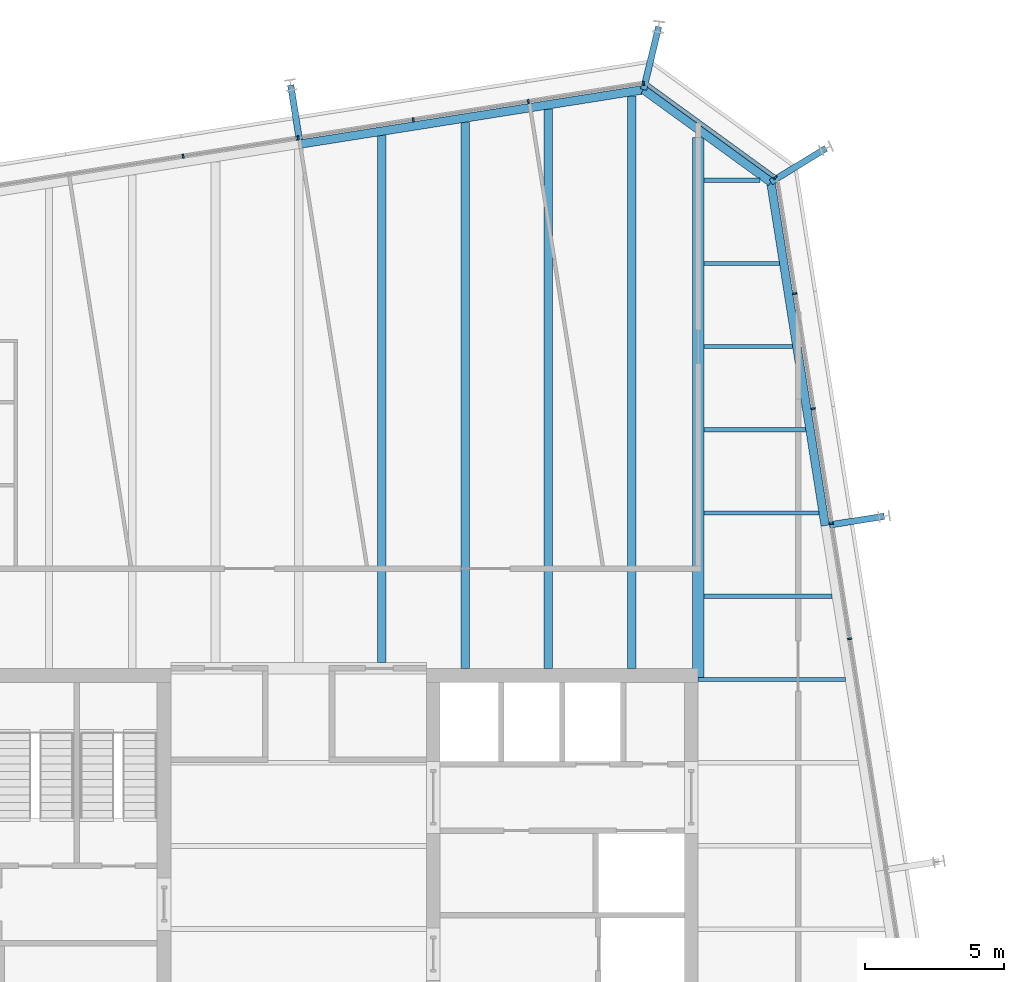
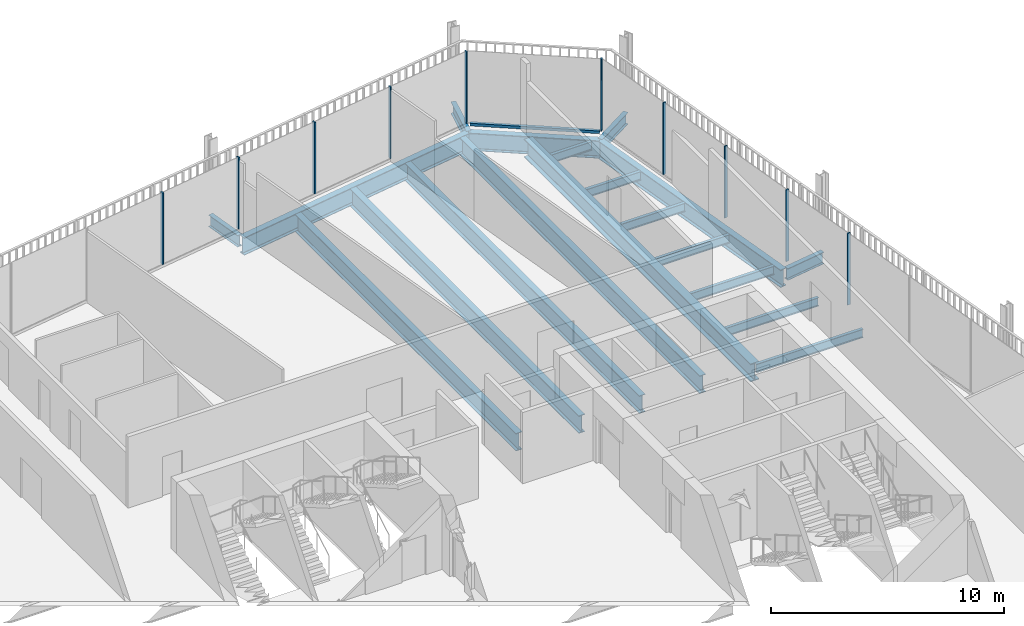
# One storey, part 14 of 20: 19 beams, 11 members, 3 elements without a shape of their own.
"""IFC4 building model written with IfcOpenShell, lengths in metres."""

from ifc_helpers import new_model, si_unit, direction, frame, origin, origin_2d, place, context, subcontext, project, spatial, rectangle, i_section, extrude, material, layer, layer_set, material_profile, profile_set, type_object, element, aggregate, save


model = new_model("IFC4")

# Units and contexts
model_context = context("Model", 3, precision=1e-05, world=origin(), true_north=direction((0.0, 1.0)))
body_context = subcontext(model_context, "Body", "Model", "MODEL_VIEW")
ifc_project = project(units=[si_unit("LENGTHUNIT", "METRE"), si_unit("AREAUNIT", "SQUARE_METRE"), si_unit("VOLUMEUNIT", "CUBIC_METRE"), si_unit("PLANEANGLEUNIT", "RADIAN"), si_unit("MASSUNIT", "GRAM", prefix="KILO")], contexts=[model_context])

# Site, building, storey
site_placement = place(None, origin())
site = spatial("IfcSite", under=ifc_project, at=site_placement, CompositionType="ELEMENT")
building_placement = place(site_placement, origin())
building = spatial("IfcBuilding", under=site, at=building_placement, Name="Millrace Tower", CompositionType="ELEMENT")
storey_placement = place(building_placement, frame((0.0, 0.0, 224.199951171875)))
storey = spatial("IfcBuildingStorey", under=building, at=storey_placement, Name="L51", CompositionType="ELEMENT", Elevation=224.199951171875)

# Curtain wall, members
ifc_material_1 = material(Name="Aluminium and glass", Category="aluminium")
ifc_layer = layer(ifc_material_1, 0.14990234375)
ifc_layer_set = layer_set([ifc_layer], Name="Aluminium and glass")
curtain_wall_type = type_object("IfcCurtainWallType", Name="CW-1 office vision curtain wall", PredefinedType="NOTDEFINED", material=ifc_layer_set)
placement = place(storey_placement, origin())
curtain_wall_1 = element("IfcCurtainWall", 1, at=placement, inside=storey, type_object=curtain_wall_type, Name="Curtain wall D-F04 L51", PredefinedType="NOTDEFINED")
ifc_material_2 = material(Name="Aluminium", Category="aluminium")
ifc_material_profile_1 = material_profile(ifc_material_2, rectangle(XDim=0.06494140625, YDim=0.14990234375, at=origin_2d()))
ifc_profile_set_1 = profile_set([ifc_material_profile_1], Name="Aluminium")
member_type_1 = type_object("IfcMemberType", Name="CW-1 office vision curtain wall mullion", PredefinedType="MULLION", material=ifc_profile_set_1)
member_1_placement = place(storey_placement, frame((19.857421875, 10.466064453125, 0.14013671875), z_axis=(0.0, 0.0, 1.0), x_axis=(-0.156434471884, 0.987688339511, 0.0)))
member_1 = element("IfcMember", 2, at=member_1_placement, type_object=member_type_1, Name="CW1 mullion D-F04.6", PredefinedType="MULLION", context=body_context, shape_type="SweptSolid", body=[
    extrude(rectangle(XDim=0.06494140625, YDim=0.14990234375, at=origin_2d()), origin(), (0.0, 0.0, 1.0), 3.760009765625),
])
member_2_placement = place(storey_placement, frame((19.2001953125, 14.6142578125, 0.14013671875), z_axis=(0.0, 0.0, 1.0), x_axis=(-0.156434471884, 0.987688339511, 0.0)))
member_2 = element("IfcMember", 3, at=member_2_placement, type_object=member_type_1, Name="CW1 mullion D-F04.7", PredefinedType="MULLION", context=body_context, shape_type="SweptSolid", body=[
    extrude(rectangle(XDim=0.06494140625, YDim=0.14990234375, at=origin_2d()), origin(), (0.0, 0.0, 1.0), 3.760009765625),
])
member_3_placement = place(storey_placement, frame((18.543212890625, 18.762451171875, 0.14013671875), z_axis=(0.0, 0.0, 1.0), x_axis=(-0.156434471884, 0.987688339511, 0.0)))
member_3 = element("IfcMember", 4, at=member_3_placement, type_object=member_type_1, Name="CW1 mullion D-F04.8", PredefinedType="MULLION", context=body_context, shape_type="SweptSolid", body=[
    extrude(rectangle(XDim=0.06494140625, YDim=0.14990234375, at=origin_2d()), origin(), (0.0, 0.0, 1.0), 3.760009765625),
])
member_4_placement = place(storey_placement, frame((17.88623046875, 22.910888671875, 0.14013671875), z_axis=(0.0, 0.0, 1.0), x_axis=(-0.156434471884, 0.987688339511, 0.0)))
member_4 = element("IfcMember", 5, at=member_4_placement, type_object=member_type_1, Name="CW1 mullion D-F04.9", PredefinedType="MULLION", context=body_context, shape_type="SweptSolid", body=[
    extrude(rectangle(XDim=0.06494140625, YDim=0.14990234375, at=origin_2d()), origin(), (0.0, 0.0, 1.0), 3.760009765625),
])
aggregate(curtain_wall_1, [member_1, member_2, member_3, member_4])

# Curtain wall, member
curtain_wall_2 = element("IfcCurtainWall", 6, at=placement, inside=storey, type_object=curtain_wall_type, Name="Curtain wall D-F05 L51", PredefinedType="NOTDEFINED")
member_5_placement = place(storey_placement, frame((17.177978515625, 27.094970703125, 0.14013671875), z_axis=(0.0, 0.0, 1.0), x_axis=(-0.809016955361, 0.587785305991, 0.0)))
member_5 = element("IfcMember", 7, at=member_5_placement, type_object=member_type_1, Name="CW1 mullion D-F05.1", PredefinedType="MULLION", context=body_context, shape_type="SweptSolid", body=[
    extrude(rectangle(XDim=0.06494140625, YDim=0.14990234375, at=origin_2d()), origin(), (0.0, 0.0, 1.0), 3.760009765625),
])

# Curtain wall, members
curtain_wall_3 = element("IfcCurtainWall", 8, at=placement, inside=storey, type_object=curtain_wall_type, Name="Curtain wall D-F06 L51", PredefinedType="NOTDEFINED")
member_6_placement = place(storey_placement, frame((12.425537109375, 30.492431640625, 0.14013671875), z_axis=(0.0, 0.0, 1.0), x_axis=(-0.987688339511, -0.156434471884, 0.0)))
member_6 = element("IfcMember", 9, at=member_6_placement, type_object=member_type_1, Name="CW1 mullion D-F06.1", PredefinedType="MULLION", context=body_context, shape_type="SweptSolid", body=[
    extrude(rectangle(XDim=0.06494140625, YDim=0.14990234375, at=origin_2d()), origin(), (0.0, 0.0, 1.0), 3.760009765625),
])
member_7_placement = place(storey_placement, frame((8.277099609375, 29.83544921875, 0.14013671875), z_axis=(0.0, 0.0, 1.0), x_axis=(-0.987688339511, -0.156434471884, 0.0)))
member_7 = element("IfcMember", 10, at=member_7_placement, type_object=member_type_1, Name="CW1 mullion D-F06.2", PredefinedType="MULLION", context=body_context, shape_type="SweptSolid", body=[
    extrude(rectangle(XDim=0.06494140625, YDim=0.14990234375, at=origin_2d()), origin(), (0.0, 0.0, 1.0), 3.760009765625),
])
member_8_placement = place(storey_placement, frame((4.12890625, 29.178466796875, 0.14013671875), z_axis=(0.0, 0.0, 1.0), x_axis=(-0.987688339511, -0.156434471884, 0.0)))
member_8 = element("IfcMember", 11, at=member_8_placement, type_object=member_type_1, Name="CW1 mullion D-F06.3", PredefinedType="MULLION", context=body_context, shape_type="SweptSolid", body=[
    extrude(rectangle(XDim=0.06494140625, YDim=0.14990234375, at=origin_2d()), origin(), (0.0, 0.0, 1.0), 3.760009765625),
])
member_9_placement = place(storey_placement, frame((-0.019287109375, 28.521240234375, 0.14013671875), z_axis=(0.0, 0.0, 1.0), x_axis=(-0.987688339511, -0.156434471884, 0.0)))
member_9 = element("IfcMember", 12, at=member_9_placement, type_object=member_type_1, Name="CW1 mullion D-F06.4", PredefinedType="MULLION", context=body_context, shape_type="SweptSolid", body=[
    extrude(rectangle(XDim=0.06494140625, YDim=0.14990234375, at=origin_2d()), origin(), (0.0, 0.0, 1.0), 3.760009765625),
])
member_10_placement = place(storey_placement, frame((-4.167724609375, 27.8642578125, 0.14013671875), z_axis=(0.0, 0.0, 1.0), x_axis=(-0.987688339511, -0.156434471884, 0.0)))
member_10 = element("IfcMember", 13, at=member_10_placement, type_object=member_type_1, Name="CW1 mullion D-F06.5", PredefinedType="MULLION", context=body_context, shape_type="SweptSolid", body=[
    extrude(rectangle(XDim=0.06494140625, YDim=0.14990234375, at=origin_2d()), origin(), (0.0, 0.0, 1.0), 3.760009765625),
])
aggregate(curtain_wall_3, [member_6, member_7, member_8, member_9, member_10])

# Member
ifc_material_3 = material(Name="Aluminium", Category="aluminium")
ifc_material_profile_2 = material_profile(ifc_material_3, rectangle(XDim=0.14990234375, YDim=0.139892578125, at=origin_2d()))
ifc_profile_set_2 = profile_set([ifc_material_profile_2], Name="Aluminium")
member_type_2 = type_object("IfcMemberType", Name="CW-1 office vision curtain wall transom", PredefinedType="USERDEFINED", material=ifc_profile_set_2)
member_11_placement = place(storey_placement, frame((17.123291015625, 27.134765625, 0.070068359375), z_axis=(-0.809018869857, 0.587782670904, 0.0), x_axis=(-0.587782670904, -0.809018869857, 0.0)))
member_11 = element("IfcMember", 14, at=member_11_placement, type_object=member_type_2, Name="CW1 transom D-F05.1", ObjectType="TRANSOM", PredefinedType="USERDEFINED", context=body_context, shape_type="SweptSolid", body=[
    extrude(rectangle(XDim=0.14990234375, YDim=0.139892578125, at=origin_2d()), origin(), (0.0, 0.0, 1.0), 5.59814453125),
])

aggregate(curtain_wall_2, [member_5, member_11])

# Beams
ifc_material_4 = material(Name="Steel ASTM A992 Grade 50", Category="steel")
ifc_material_profile_3 = material_profile(ifc_material_4, i_section(OverallWidth=0.15234375, OverallDepth=0.449462890625, WebThickness=0.007568359375, FlangeThickness=0.0107421875, FilletRadius=0.01025390625, at=origin_2d()))
ifc_profile_set_3 = profile_set([ifc_material_profile_3], Name="Steel ASTM A992 Grade 50")
beam_type_1 = type_object("IfcBeamType", Name="Floor beam W18x35", PredefinedType="JOIST", material=ifc_profile_set_3)
beam_1_placement = place(storey_placement, frame((14.39990234375, 9.0, -0.384765625), z_axis=(1.0, 0.0, 0.0), x_axis=(0.0, 1.0, 0.0)))
element("IfcBeam", 15, at=beam_1_placement, inside=storey, type_object=beam_type_1, Name="BM-D-L51-S1-S024", PredefinedType="JOIST", context=body_context, shape_type="SweptSolid", body=[
    extrude(i_section(OverallWidth=0.15234375, OverallDepth=0.449462890625, WebThickness=0.007568359375, FlangeThickness=0.0107421875, FilletRadius=0.01025390625, at=origin_2d()), origin(), (0.0, 0.0, 1.0), 5.302490234375),
])
beam_2_placement = place(storey_placement, frame((14.609619140625, 12.0, -0.384765625), z_axis=(1.0, 0.0, 0.0), x_axis=(0.0, 1.0, 0.0)))
element("IfcBeam", 16, at=beam_2_placement, inside=storey, type_object=beam_type_1, Name="BM-D-L51-S1-S026", PredefinedType="JOIST", context=body_context, shape_type="SweptSolid", body=[
    extrude(i_section(OverallWidth=0.15234375, OverallDepth=0.449462890625, WebThickness=0.007568359375, FlangeThickness=0.0107421875, FilletRadius=0.01025390625, at=origin_2d()), origin(), (0.0, 0.0, 1.0), 4.61767578125),
])
beam_3_placement = place(storey_placement, frame((14.609619140625, 15.0, -0.384765625), z_axis=(1.0, 0.0, 0.0), x_axis=(0.0, 1.0, 0.0)))
element("IfcBeam", 17, at=beam_3_placement, inside=storey, type_object=beam_type_1, Name="BM-D-L51-S1-S028", PredefinedType="JOIST", context=body_context, shape_type="SweptSolid", body=[
    extrude(i_section(OverallWidth=0.15234375, OverallDepth=0.449462890625, WebThickness=0.007568359375, FlangeThickness=0.0107421875, FilletRadius=0.01025390625, at=origin_2d()), origin(), (0.0, 0.0, 1.0), 4.142578125),
])
beam_4_placement = place(storey_placement, frame((14.609619140625, 18.0, -0.384765625), z_axis=(1.0, 0.0, 0.0), x_axis=(0.0, 1.0, 0.0)))
element("IfcBeam", 18, at=beam_4_placement, inside=storey, type_object=beam_type_1, Name="BM-D-L51-S1-S030", PredefinedType="JOIST", context=body_context, shape_type="SweptSolid", body=[
    extrude(i_section(OverallWidth=0.15234375, OverallDepth=0.449462890625, WebThickness=0.007568359375, FlangeThickness=0.0107421875, FilletRadius=0.01025390625, at=origin_2d()), origin(), (0.0, 0.0, 1.0), 3.667236328125),
])
beam_5_placement = place(storey_placement, frame((14.609619140625, 21.0, -0.384765625), z_axis=(1.0, 0.0, 0.0), x_axis=(0.0, 1.0, 0.0)))
element("IfcBeam", 19, at=beam_5_placement, inside=storey, type_object=beam_type_1, Name="BM-D-L51-S1-S032", PredefinedType="JOIST", context=body_context, shape_type="SweptSolid", body=[
    extrude(i_section(OverallWidth=0.15234375, OverallDepth=0.449462890625, WebThickness=0.007568359375, FlangeThickness=0.0107421875, FilletRadius=0.01025390625, at=origin_2d()), origin(), (0.0, 0.0, 1.0), 3.192138671875),
])
beam_6_placement = place(storey_placement, frame((14.609619140625, 24.0, -0.384765625), z_axis=(1.0, 0.0, 0.0), x_axis=(0.0, 1.0, 0.0)))
element("IfcBeam", 20, at=beam_6_placement, inside=storey, type_object=beam_type_1, Name="BM-D-L51-S1-S034", PredefinedType="JOIST", context=body_context, shape_type="SweptSolid", body=[
    extrude(i_section(OverallWidth=0.15234375, OverallDepth=0.449462890625, WebThickness=0.007568359375, FlangeThickness=0.0107421875, FilletRadius=0.01025390625, at=origin_2d()), origin(), (0.0, 0.0, 1.0), 2.717041015625),
])
beam_7_placement = place(storey_placement, frame((14.609619140625, 27.0, -0.384765625), z_axis=(1.0, 0.0, 0.0), x_axis=(0.0, 1.0, 0.0)))
element("IfcBeam", 21, at=beam_7_placement, inside=storey, type_object=beam_type_1, Name="BM-D-L51-S1-S035", PredefinedType="JOIST", context=body_context, shape_type="SweptSolid", body=[
    extrude(i_section(OverallWidth=0.15234375, OverallDepth=0.449462890625, WebThickness=0.007568359375, FlangeThickness=0.0107421875, FilletRadius=0.01025390625, at=origin_2d()), origin(), (0.0, 0.0, 1.0), 2.020751953125),
])
ifc_material_5 = material(Name="Steel ASTM A992 Grade 50", Category="steel")
ifc_material_profile_4 = material_profile(ifc_material_5, i_section(OverallWidth=0.307373046875, OverallDepth=0.927001953125, WebThickness=0.01953125, FlangeThickness=0.031982421875, FilletRadius=0.01904296875, at=origin_2d()))
ifc_profile_set_4 = profile_set([ifc_material_profile_4], Name="Steel ASTM A992 Grade 50")
beam_type_2 = type_object("IfcBeamType", Name="Floor beam W36x194", PredefinedType="JOIST", material=ifc_profile_set_4)
beam_8_placement = place(storey_placement, frame((3.0, 9.609619140625, -0.62353515625), z_axis=(0.0, 1.0, 0.0), x_axis=(-1.0, 0.0, 0.0)))
element("IfcBeam", 22, at=beam_8_placement, inside=storey, type_object=beam_type_2, Name="BM-D-L51-S1-S046", PredefinedType="JOIST", context=body_context, shape_type="SweptSolid", body=[
    extrude(i_section(OverallWidth=0.307373046875, OverallDepth=0.927001953125, WebThickness=0.01953125, FlangeThickness=0.031982421875, FilletRadius=0.01904296875, at=origin_2d()), origin(), (0.0, 0.0, 1.0), 19.0029296875),
])
beam_9_placement = place(storey_placement, frame((6.0, 9.39990234375, -0.62353515625), z_axis=(0.0, 1.0, 0.0), x_axis=(-1.0, 0.0, 0.0)))
element("IfcBeam", 23, at=beam_9_placement, inside=storey, type_object=beam_type_2, Name="BM-D-L51-S1-S048", PredefinedType="JOIST", context=body_context, shape_type="SweptSolid", body=[
    extrude(i_section(OverallWidth=0.307373046875, OverallDepth=0.927001953125, WebThickness=0.01953125, FlangeThickness=0.031982421875, FilletRadius=0.01904296875, at=origin_2d()), origin(), (0.0, 0.0, 1.0), 19.687744140625),
])
beam_10_placement = place(storey_placement, frame((9.0, 9.39990234375, -0.62353515625), z_axis=(0.0, 1.0, 0.0), x_axis=(-1.0, 0.0, 0.0)))
element("IfcBeam", 24, at=beam_10_placement, inside=storey, type_object=beam_type_2, Name="BM-D-L51-S1-S050", PredefinedType="JOIST", context=body_context, shape_type="SweptSolid", body=[
    extrude(i_section(OverallWidth=0.307373046875, OverallDepth=0.927001953125, WebThickness=0.01953125, FlangeThickness=0.031982421875, FilletRadius=0.01904296875, at=origin_2d()), origin(), (0.0, 0.0, 1.0), 20.162841796875),
])
beam_11_placement = place(storey_placement, frame((12.0, 9.39990234375, -0.62353515625), z_axis=(0.0, 1.0, 0.0), x_axis=(-1.0, 0.0, 0.0)))
element("IfcBeam", 25, at=beam_11_placement, inside=storey, type_object=beam_type_2, Name="BM-D-L51-S1-S052", PredefinedType="JOIST", context=body_context, shape_type="SweptSolid", body=[
    extrude(i_section(OverallWidth=0.307373046875, OverallDepth=0.927001953125, WebThickness=0.01953125, FlangeThickness=0.031982421875, FilletRadius=0.01904296875, at=origin_2d()), origin(), (0.0, 0.0, 1.0), 20.637939453125),
])
ifc_material_6 = material(Name="Steel ASTM A992 Grade 50", Category="steel")
ifc_material_profile_5 = material_profile(ifc_material_6, i_section(OverallWidth=0.424072265625, OverallDepth=0.947509765625, WebThickness=0.02392578125, FlangeThickness=0.042724609375, FilletRadius=0.024169921875, at=origin_2d()))
ifc_profile_set_5 = profile_set([ifc_material_profile_5], Name="Steel ASTM A992 Grade 50")
beam_type_3 = type_object("IfcBeamType", Name="Girder medium span W36x302", PredefinedType="BEAM", material=ifc_profile_set_5)
beam_12_placement = place(storey_placement, frame((14.39990234375, 9.080078125, -0.633544921875), z_axis=(0.0, 1.0, 0.0), x_axis=(-1.0, 0.0, 0.0)))
element("IfcBeam", 26, at=beam_12_placement, inside=storey, type_object=beam_type_3, Name="BM-D-L51-S1-G056", PredefinedType="BEAM", context=body_context, shape_type="SweptSolid", body=[
    extrude(i_section(OverallWidth=0.424072265625, OverallDepth=0.947509765625, WebThickness=0.02392578125, FlangeThickness=0.042724609375, FilletRadius=0.024169921875, at=origin_2d()), origin(), (0.0, 0.0, 1.0), 19.460693359375),
])
ifc_material_7 = material(Name="Steel ASTM A992 Grade 50", Category="steel")
ifc_material_profile_6 = material_profile(ifc_material_7, i_section(OverallWidth=0.23046875, OverallDepth=0.6171875, WebThickness=0.01318359375, FlangeThickness=0.022216796875, FilletRadius=0.012939453125, at=origin_2d()))
ifc_profile_set_6 = profile_set([ifc_material_profile_6], Name="Steel ASTM A992 Grade 50")
beam_type_4 = type_object("IfcBeamType", Name="Link beam W24x94", PredefinedType="BEAM", material=ifc_profile_set_6)
beam_13_placement = place(storey_placement, frame((0.0244140625, 28.452392578125, -0.468505859375), z_axis=(-0.15637629034, 0.987697552806, 0.0), x_axis=(-0.987697552806, -0.15637629034, 0.0)))
element("IfcBeam", 27, at=beam_13_placement, inside=storey, type_object=beam_type_4, Name="LNK-D-L51-S1-07", PredefinedType="BEAM", context=body_context, shape_type="SweptSolid", body=[
    extrude(i_section(OverallWidth=0.23046875, OverallDepth=0.6171875, WebThickness=0.01318359375, FlangeThickness=0.022216796875, FilletRadius=0.012939453125, at=origin_2d()), origin(), (0.0, 0.0, 1.0), 2.0),
])
beam_14_placement = place(storey_placement, frame((12.430419921875, 30.26171875, -0.468505859375), z_axis=(0.233456138164, 0.972367333652, 0.0), x_axis=(-0.972367333652, 0.233456138164, 0.0)))
element("IfcBeam", 28, at=beam_14_placement, inside=storey, type_object=beam_type_4, Name="LNK-D-L51-S1-08", PredefinedType="BEAM", context=body_context, shape_type="SweptSolid", body=[
    extrude(i_section(OverallWidth=0.23046875, OverallDepth=0.6171875, WebThickness=0.01318359375, FlangeThickness=0.022216796875, FilletRadius=0.012939453125, at=origin_2d()), origin(), (0.0, 0.0, 1.0), 2.3310546875),
])
beam_15_placement = place(storey_placement, frame((17.018310546875, 26.928466796875, -0.468505859375), z_axis=(0.852659946142, 0.5224662824, 0.0), x_axis=(-0.5224662824, 0.852659946142, 0.0)))
element("IfcBeam", 29, at=beam_15_placement, inside=storey, type_object=beam_type_4, Name="LNK-D-L51-S1-09", PredefinedType="BEAM", context=body_context, shape_type="SweptSolid", body=[
    extrude(i_section(OverallWidth=0.23046875, OverallDepth=0.6171875, WebThickness=0.01318359375, FlangeThickness=0.022216796875, FilletRadius=0.012939453125, at=origin_2d()), origin(), (0.0, 0.0, 1.0), 2.331298828125),
])
beam_16_placement = place(storey_placement, frame((19.13134765625, 14.5703125, -0.468505859375), z_axis=(0.987678691416, 0.156495375404, 0.0), x_axis=(-0.156495375404, 0.987678691416, 0.0)))
element("IfcBeam", 30, at=beam_16_placement, inside=storey, type_object=beam_type_4, Name="LNK-D-L51-S1-10", PredefinedType="BEAM", context=body_context, shape_type="SweptSolid", body=[
    extrude(i_section(OverallWidth=0.23046875, OverallDepth=0.6171875, WebThickness=0.01318359375, FlangeThickness=0.022216796875, FilletRadius=0.012939453125, at=origin_2d()), origin(), (0.0, 0.0, 1.0), 2.0),
])
ifc_material_8 = material(Name="Steel ASTM A992 Grade 50", Category="steel")
ifc_material_profile_7 = material_profile(ifc_material_8, i_section(OverallWidth=0.307373046875, OverallDepth=0.927001953125, WebThickness=0.01953125, FlangeThickness=0.031982421875, FilletRadius=0.01904296875, at=origin_2d()))
ifc_profile_set_7 = profile_set([ifc_material_profile_7], Name="Steel ASTM A992 Grade 50")
beam_type_5 = type_object("IfcBeamType", Name="Ring beam medium span W36x194", PredefinedType="SPANDREL", material=ifc_profile_set_7)
beam_17_placement = place(storey_placement, frame((0.048583984375, 28.300537109375, -0.62353515625), z_axis=(0.987687213011, 0.156441584157, 0.0), x_axis=(-0.156441584157, 0.987687213011, 0.0)))
element("IfcBeam", 31, at=beam_17_placement, inside=storey, type_object=beam_type_5, Name="RNG-D-L51-S1-07", PredefinedType="SPANDREL", context=body_context, shape_type="SweptSolid", body=[
    extrude(i_section(OverallWidth=0.307373046875, OverallDepth=0.927001953125, WebThickness=0.01953125, FlangeThickness=0.031982421875, FilletRadius=0.01904296875, at=origin_2d()), origin(), (0.0, 0.0, 1.0), 12.5361328125),
])
beam_18_placement = place(storey_placement, frame((17.018310546875, 26.928466796875, -0.62353515625), z_axis=(0.156438575049, -0.987687689625, 0.0), x_axis=(0.987687689625, 0.156438575049, 0.0)))
element("IfcBeam", 32, at=beam_18_placement, inside=storey, type_object=beam_type_5, Name="RNG-D-L51-S1-09", PredefinedType="SPANDREL", context=body_context, shape_type="SweptSolid", body=[
    extrude(i_section(OverallWidth=0.307373046875, OverallDepth=0.927001953125, WebThickness=0.01953125, FlangeThickness=0.031982421875, FilletRadius=0.01904296875, at=origin_2d()), origin(), (0.0, 0.0, 1.0), 12.536376953125),
])
ifc_material_9 = material(Name="Steel ASTM A992 Grade 50", Category="steel")
ifc_material_profile_8 = material_profile(ifc_material_9, i_section(OverallWidth=0.307373046875, OverallDepth=0.927001953125, WebThickness=0.01953125, FlangeThickness=0.031982421875, FilletRadius=0.01904296875, at=origin_2d()))
ifc_profile_set_8 = profile_set([ifc_material_profile_8], Name="Steel ASTM A992 Grade 50")
beam_type_6 = type_object("IfcBeamType", Name="Ring beam short span W36x194", PredefinedType="SPANDREL", material=ifc_profile_set_8)
beam_19_placement = place(storey_placement, frame((12.430419921875, 30.26171875, -0.62353515625), z_axis=(0.80902082646, -0.587779977844, 0.0), x_axis=(0.587779977844, 0.80902082646, 0.0)))
element("IfcBeam", 33, at=beam_19_placement, inside=storey, type_object=beam_type_6, Name="RNG-D-L51-S1-08", PredefinedType="SPANDREL", context=body_context, shape_type="SweptSolid", body=[
    extrude(i_section(OverallWidth=0.307373046875, OverallDepth=0.927001953125, WebThickness=0.01953125, FlangeThickness=0.031982421875, FilletRadius=0.01904296875, at=origin_2d()), origin(), (0.0, 0.0, 1.0), 5.6708984375),
])

save(model, "model.ifc")
